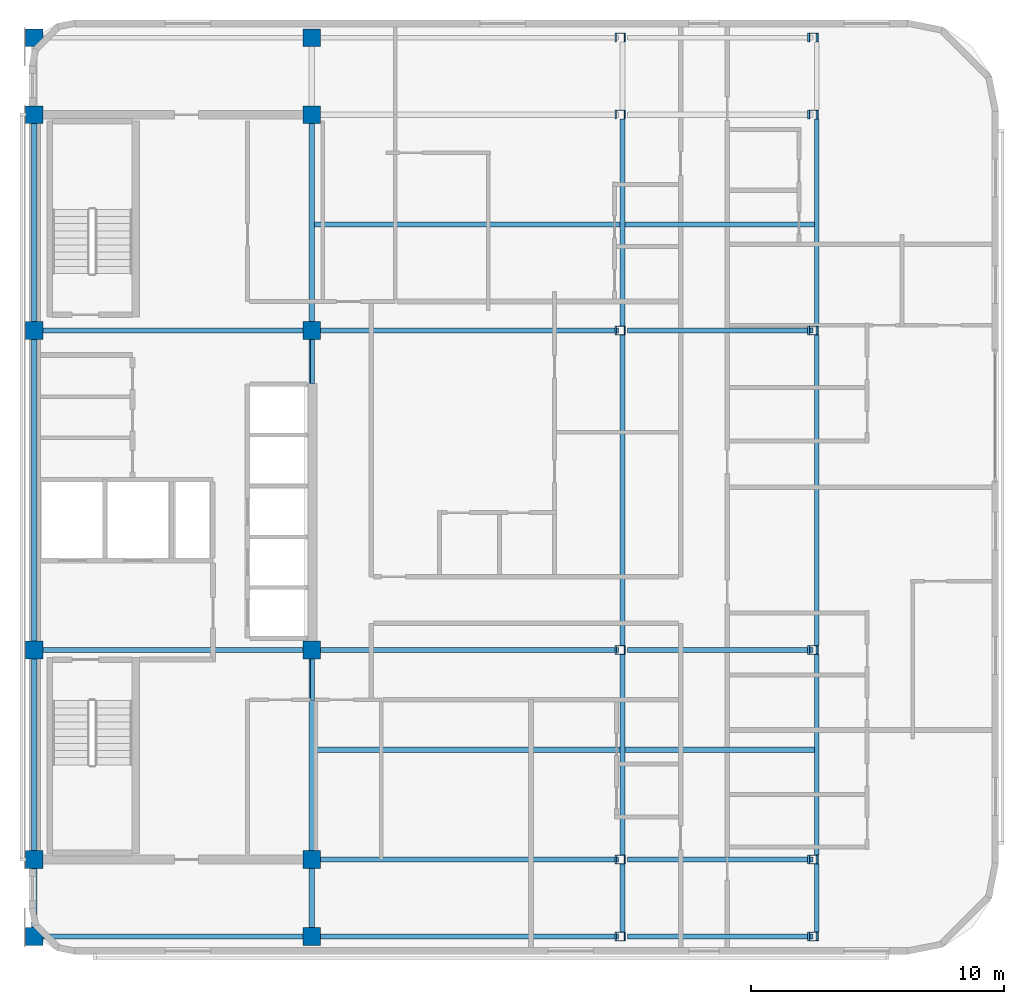
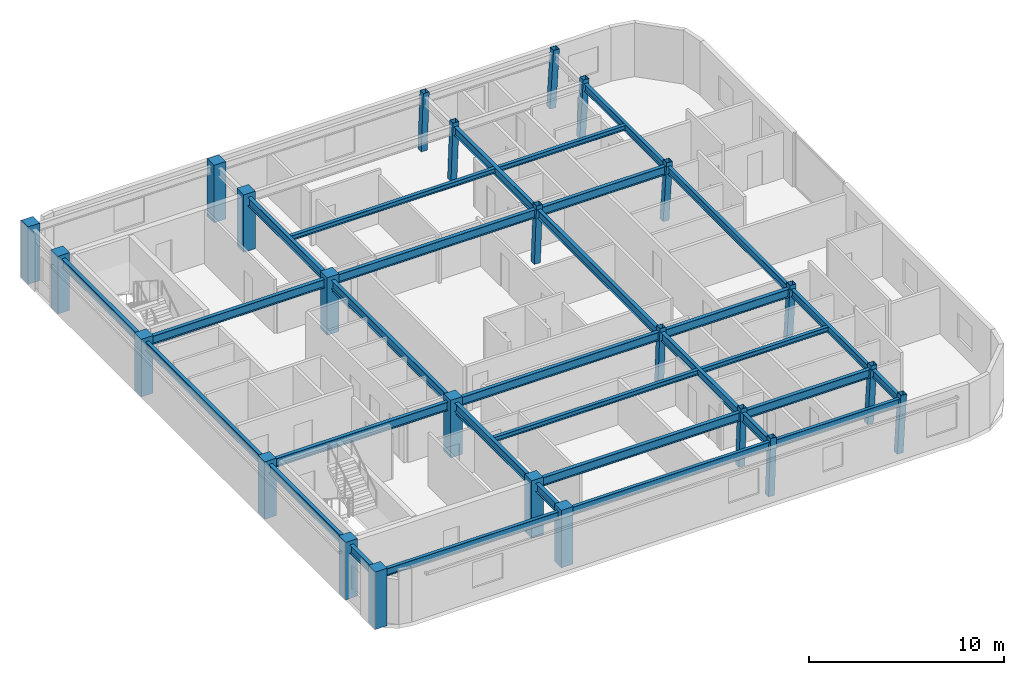
# One storey, part 1 of 10: 33 beams, 24 columns.
"""IFC4 building model written with IfcOpenShell, lengths in metres."""

from ifc_helpers import new_model, si_unit, direction, frame, origin, origin_2d, place, context, subcontext, project, spatial, rectangle, hollow_rectangle, i_section, extrude, material, material_profile, profile_set, type_object, element, save


model = new_model("IFC4")

# Units and contexts
model_context = context("Model", 3, precision=1e-05, world=origin(), true_north=direction((0.0, 1.0)))
body_context = subcontext(model_context, "Body", "Model", "MODEL_VIEW")
ifc_project = project(units=[si_unit("LENGTHUNIT", "METRE"), si_unit("AREAUNIT", "SQUARE_METRE"), si_unit("VOLUMEUNIT", "CUBIC_METRE"), si_unit("PLANEANGLEUNIT", "RADIAN"), si_unit("MASSUNIT", "GRAM", prefix="KILO")], contexts=[model_context])

# Site, building, storey
site_placement = place(None, origin())
site = spatial("IfcSite", under=ifc_project, at=site_placement, CompositionType="ELEMENT")
building_placement = place(site_placement, origin())
building = spatial("IfcBuilding", under=site, at=building_placement, Name="Ochreholt Gables", CompositionType="ELEMENT")
storey_placement = place(building_placement, frame((0.0, 0.0, 213.0)))
storey = spatial("IfcBuildingStorey", under=building, at=storey_placement, Name="L55", CompositionType="ELEMENT", Elevation=213.0)

# Columns
ifc_material_1 = material(Name="Steel CSA G40.21 350W", Category="steel")
ifc_material_profile_1 = material_profile(ifc_material_1, hollow_rectangle(XDim=0.35595703125, YDim=0.35595703125, WallThickness=0.01611328125, at=origin_2d()), Name="HSS356X356X16")
ifc_profile_set_1 = profile_set([ifc_material_profile_1], Name="Steel CSA G40.21 350W")
column_type_1 = type_object("IfcColumnType", Name="COL-HSS356-RAK", PredefinedType="COLUMN", material=ifc_profile_set_1)
for number, where, z_axis, x_axis, name in (
    (1, (47.39111328125, 9.25, 0.0), (0.034971136209, 0.0, 0.999388322742), (0.0, 1.0, 0.0), "L55 Column EMY2"),
    (2, (47.39111328125, 17.550048828125, 0.0), (0.034971136209, 0.0, 0.999388322742), (0.0, 1.0, 0.0), "L55 Column EMY3"),
    (3, (47.39111328125, 30.199951171875, 0.0), (0.034971136209, 0.0, 0.999388322742), (0.0, 1.0, 0.0), "L55 Column EMY4"),
    (4, (47.39111328125, 38.75, 0.0), (0.034971136209, 0.0, 0.999388322742), (0.0, 1.0, 0.0), "L55 Column EMY5"),
):
    element("IfcColumn", number, at=place(storey_placement, frame(where, z_axis=z_axis, x_axis=x_axis)), inside=storey, type_object=column_type_1, Name=name, PredefinedType="COLUMN", context=body_context, shape_type="SweptSolid", body=[
        extrude(hollow_rectangle(XDim=0.35595703125, YDim=0.35595703125, WallThickness=0.01611328125, at=origin_2d()), origin(), (0.0, 0.0, 1.0), 3.602294921875),
    ])
ifc_material_profile_2 = material_profile(ifc_material_1, hollow_rectangle(XDim=0.35595703125, YDim=0.35595703125, WallThickness=0.01611328125, at=origin_2d()), Name="HSS356X356X16")
ifc_profile_set_2 = profile_set([ifc_material_profile_2], Name="Steel CSA G40.21 350W")
column_type_2 = type_object("IfcColumnType", Name="COL-HSS356-RAKE", PredefinedType="COLUMN", material=ifc_profile_set_2)
for number, where, z_axis, x_axis, name in (
    (5, (47.39111328125, 6.199951171875, 0.0), (0.034971136209, 0.0, 0.999388322742), (0.0, 1.0, 0.0), "L55 Column EMY1"),
    (6, (47.39111328125, 41.800048828125, 0.0), (0.034971136209, 0.0, 0.999388322742), (0.0, 1.0, 0.0), "L55 Column EMY6"),
):
    element("IfcColumn", number, at=place(storey_placement, frame(where, z_axis=z_axis, x_axis=x_axis)), inside=storey, type_object=column_type_2, Name=name, PredefinedType="COLUMN", context=body_context, shape_type="SweptSolid", body=[
        extrude(hollow_rectangle(XDim=0.35595703125, YDim=0.35595703125, WallThickness=0.01611328125, at=origin_2d()), origin(), (0.0, 0.0, 1.0), 3.602294921875),
    ])
for number, where, z_axis, x_axis, name in (
    (7, (55.0107421875, 6.199951171875, 0.0), (0.057884606321, 0.0, 0.998323280481), (0.0, 1.0, 0.0), "L55 Column EEY1"),
    (8, (55.0107421875, 9.25, 0.0), (0.057884606321, 0.0, 0.998323280481), (0.0, 1.0, 0.0), "L55 Column EEY2"),
    (9, (55.0107421875, 17.550048828125, 0.0), (0.057884606321, 0.0, 0.998323280481), (0.0, 1.0, 0.0), "L55 Column EEY3"),
    (10, (55.0107421875, 30.199951171875, 0.0), (0.057884606321, 0.0, 0.998323280481), (0.0, 1.0, 0.0), "L55 Column EEY4"),
    (11, (55.0107421875, 38.75, 0.0), (0.057884606321, 0.0, 0.998323280481), (0.0, 1.0, 0.0), "L55 Column EEY5"),
    (12, (55.0107421875, 41.800048828125, 0.0), (0.057884606321, 0.0, 0.998323280481), (0.0, 1.0, 0.0), "L55 Column EEY6"),
):
    element("IfcColumn", number, at=place(storey_placement, frame(where, z_axis=z_axis, x_axis=x_axis)), inside=storey, type_object=column_type_2, Name=name, PredefinedType="COLUMN", context=body_context, shape_type="SweptSolid", body=[
        extrude(hollow_rectangle(XDim=0.35595703125, YDim=0.35595703125, WallThickness=0.01611328125, at=origin_2d()), origin(), (0.0, 0.0, 1.0), 3.606201171875),
    ])
ifc_material_2 = material(Name="Concrete 50 MPa", Category="concrete")
ifc_material_profile_3 = material_profile(ifc_material_2, rectangle(XDim=0.699951171875, YDim=0.699951171875, at=origin_2d()), Name="RC700X700")
ifc_profile_set_3 = profile_set([ifc_material_profile_3], Name="Concrete 50 MPa")
column_type_3 = type_object("IfcColumnType", Name="COL-RC700-EXT", PredefinedType="COLUMN", material=ifc_profile_set_3)
for number, where, z_axis, x_axis, name in (
    (13, (24.199951171875, 6.199951171875, 0.0), (0.0, 0.0, 1.0), (1.0, 0.0, 0.0), "L55 Column C1Y1"),
    (14, (24.199951171875, 9.25, 0.0), (0.0, 0.0, 1.0), (1.0, 0.0, 0.0), "L55 Column C1Y2"),
    (15, (24.199951171875, 17.550048828125, 0.0), (0.0, 0.0, 1.0), (1.0, 0.0, 0.0), "L55 Column C1Y3"),
    (16, (24.199951171875, 30.199951171875, 0.0), (0.0, 0.0, 1.0), (1.0, 0.0, 0.0), "L55 Column C1Y4"),
    (17, (24.199951171875, 38.75, 0.0), (0.0, 0.0, 1.0), (1.0, 0.0, 0.0), "L55 Column C1Y5"),
    (18, (24.199951171875, 41.800048828125, 0.0), (0.0, 0.0, 1.0), (1.0, 0.0, 0.0), "L55 Column C1Y6"),
    (19, (35.199951171875, 6.199951171875, 0.0), (0.0, 0.0, 1.0), (1.0, 0.0, 0.0), "L55 Column C2Y1"),
    (20, (35.199951171875, 41.800048828125, 0.0), (0.0, 0.0, 1.0), (1.0, 0.0, 0.0), "L55 Column C2Y6"),
):
    element("IfcColumn", number, at=place(storey_placement, frame(where, z_axis=z_axis, x_axis=x_axis)), inside=storey, type_object=column_type_3, Name=name, PredefinedType="COLUMN", context=body_context, shape_type="SweptSolid", body=[
        extrude(rectangle(XDim=0.699951171875, YDim=0.699951171875, at=origin_2d()), origin(), (0.0, 0.0, 1.0), 3.60009765625),
    ])
ifc_material_profile_4 = material_profile(ifc_material_2, rectangle(XDim=0.699951171875, YDim=0.699951171875, at=origin_2d()), Name="RC700X700")
ifc_profile_set_4 = profile_set([ifc_material_profile_4], Name="Concrete 50 MPa")
column_type_4 = type_object("IfcColumnType", Name="COL-RC700-INT", PredefinedType="COLUMN", material=ifc_profile_set_4)
for number, where, z_axis, x_axis, name in (
    (21, (35.199951171875, 9.25, 0.0), (0.0, 0.0, 1.0), (1.0, 0.0, 0.0), "L55 Column C2Y2"),
    (22, (35.199951171875, 17.550048828125, 0.0), (0.0, 0.0, 1.0), (1.0, 0.0, 0.0), "L55 Column C2Y3"),
    (23, (35.199951171875, 30.199951171875, 0.0), (0.0, 0.0, 1.0), (1.0, 0.0, 0.0), "L55 Column C2Y4"),
    (24, (35.199951171875, 38.75, 0.0), (0.0, 0.0, 1.0), (1.0, 0.0, 0.0), "L55 Column C2Y5"),
):
    element("IfcColumn", number, at=place(storey_placement, frame(where, z_axis=z_axis, x_axis=x_axis)), inside=storey, type_object=column_type_4, Name=name, PredefinedType="COLUMN", context=body_context, shape_type="SweptSolid", body=[
        extrude(rectangle(XDim=0.699951171875, YDim=0.699951171875, at=origin_2d()), origin(), (0.0, 0.0, 1.0), 3.60009765625),
    ])

# Beams
ifc_material_profile_5 = material_profile(ifc_material_1, i_section(OverallWidth=0.2109375, OverallDepth=0.5390625, WebThickness=0.01171875, FlangeThickness=0.018798828125, at=origin_2d()), Name="W530X109")
ifc_profile_set_5 = profile_set([ifc_material_profile_5], Name="Steel CSA G40.21 350W")
beam_type_1 = type_object("IfcBeamType", Name="BM-G-W530A", PredefinedType="BEAM", material=ifc_profile_set_5)
beam_1_placement = place(storey_placement, frame((35.549560546875, 9.25, 3.090576171875), z_axis=(1.0, 0.0, 0.0), x_axis=(0.0, 1.0, 0.0)))
element("IfcBeam", 25, at=beam_1_placement, inside=storey, type_object=beam_type_1, Name="L55 Beam TBG-L55-C2EM-Y2", PredefinedType="BEAM", context=body_context, shape_type="SweptSolid", body=[
    extrude(i_section(OverallWidth=0.2109375, OverallDepth=0.5390625, WebThickness=0.01171875, FlangeThickness=0.018798828125, at=origin_2d()), origin(), (0.0, 0.0, 1.0), 11.789794921875),
])
beam_2_placement = place(storey_placement, frame((47.694580078125, 9.25, 3.090576171875), z_axis=(1.0, 0.0, 0.0), x_axis=(0.0, 1.0, 0.0)))
element("IfcBeam", 26, at=beam_2_placement, inside=storey, type_object=beam_type_1, Name="L55 Beam TBG-L55-EMEE-Y2", PredefinedType="BEAM", context=body_context, shape_type="SweptSolid", body=[
    extrude(i_section(OverallWidth=0.2109375, OverallDepth=0.5390625, WebThickness=0.01171875, FlangeThickness=0.018798828125, at=origin_2d()), origin(), (0.0, 0.0, 1.0), 7.347412109375),
])
beam_3_placement = place(storey_placement, frame((24.549560546875, 17.550048828125, 3.090576171875), z_axis=(1.0, 0.0, 0.0), x_axis=(0.0, 1.0, 0.0)))
element("IfcBeam", 27, at=beam_3_placement, inside=storey, type_object=beam_type_1, Name="L55 Beam TBG-L55-C1C2-Y3", PredefinedType="BEAM", context=body_context, shape_type="SweptSolid", body=[
    extrude(i_section(OverallWidth=0.2109375, OverallDepth=0.5390625, WebThickness=0.01171875, FlangeThickness=0.018798828125, at=origin_2d()), origin(), (0.0, 0.0, 1.0), 10.30078125),
])
beam_4_placement = place(storey_placement, frame((35.549560546875, 17.550048828125, 3.090576171875), z_axis=(1.0, 0.0, 0.0), x_axis=(0.0, 1.0, 0.0)))
element("IfcBeam", 28, at=beam_4_placement, inside=storey, type_object=beam_type_1, Name="L55 Beam TBG-L55-C2EM-Y3", PredefinedType="BEAM", context=body_context, shape_type="SweptSolid", body=[
    extrude(i_section(OverallWidth=0.2109375, OverallDepth=0.5390625, WebThickness=0.01171875, FlangeThickness=0.018798828125, at=origin_2d()), origin(), (0.0, 0.0, 1.0), 11.789794921875),
])
beam_5_placement = place(storey_placement, frame((47.694580078125, 17.550048828125, 3.090576171875), z_axis=(1.0, 0.0, 0.0), x_axis=(0.0, 1.0, 0.0)))
element("IfcBeam", 29, at=beam_5_placement, inside=storey, type_object=beam_type_1, Name="L55 Beam TBG-L55-EMEE-Y3", PredefinedType="BEAM", context=body_context, shape_type="SweptSolid", body=[
    extrude(i_section(OverallWidth=0.2109375, OverallDepth=0.5390625, WebThickness=0.01171875, FlangeThickness=0.018798828125, at=origin_2d()), origin(), (0.0, 0.0, 1.0), 7.347412109375),
])
beam_6_placement = place(storey_placement, frame((24.549560546875, 30.199951171875, 3.090576171875), z_axis=(1.0, 0.0, 0.0), x_axis=(0.0, 1.0, 0.0)))
element("IfcBeam", 30, at=beam_6_placement, inside=storey, type_object=beam_type_1, Name="L55 Beam TBG-L55-C1C2-Y4", PredefinedType="BEAM", context=body_context, shape_type="SweptSolid", body=[
    extrude(i_section(OverallWidth=0.2109375, OverallDepth=0.5390625, WebThickness=0.01171875, FlangeThickness=0.018798828125, at=origin_2d()), origin(), (0.0, 0.0, 1.0), 10.30078125),
])
beam_7_placement = place(storey_placement, frame((35.549560546875, 30.199951171875, 3.090576171875), z_axis=(1.0, 0.0, 0.0), x_axis=(0.0, 1.0, 0.0)))
element("IfcBeam", 31, at=beam_7_placement, inside=storey, type_object=beam_type_1, Name="L55 Beam TBG-L55-C2EM-Y4", PredefinedType="BEAM", context=body_context, shape_type="SweptSolid", body=[
    extrude(i_section(OverallWidth=0.2109375, OverallDepth=0.5390625, WebThickness=0.01171875, FlangeThickness=0.018798828125, at=origin_2d()), origin(), (0.0, 0.0, 1.0), 11.789794921875),
])
beam_8_placement = place(storey_placement, frame((47.694580078125, 30.199951171875, 3.090576171875), z_axis=(1.0, 0.0, 0.0), x_axis=(0.0, 1.0, 0.0)))
element("IfcBeam", 32, at=beam_8_placement, inside=storey, type_object=beam_type_1, Name="L55 Beam TBG-L55-EMEE-Y4", PredefinedType="BEAM", context=body_context, shape_type="SweptSolid", body=[
    extrude(i_section(OverallWidth=0.2109375, OverallDepth=0.5390625, WebThickness=0.01171875, FlangeThickness=0.018798828125, at=origin_2d()), origin(), (0.0, 0.0, 1.0), 7.347412109375),
])
beam_9_placement = place(storey_placement, frame((24.199951171875, 6.549560546875, 3.090576171875), z_axis=(0.0, 1.0, 0.0), x_axis=(-1.0, 0.0, 0.0)))
element("IfcBeam", 33, at=beam_9_placement, inside=storey, type_object=beam_type_1, Name="L55 Beam TBN-L55-C1-Y1Y2", PredefinedType="BEAM", context=body_context, shape_type="SweptSolid", body=[
    extrude(i_section(OverallWidth=0.2109375, OverallDepth=0.5390625, WebThickness=0.01171875, FlangeThickness=0.018798828125, at=origin_2d()), origin(), (0.0, 0.0, 1.0), 2.350830078125),
])
beam_10_placement = place(storey_placement, frame((24.199951171875, 9.599609375, 3.090576171875), z_axis=(0.0, 1.0, 0.0), x_axis=(-1.0, 0.0, 0.0)))
element("IfcBeam", 34, at=beam_10_placement, inside=storey, type_object=beam_type_1, Name="L55 Beam TBN-L55-C1-Y2Y3", PredefinedType="BEAM", context=body_context, shape_type="SweptSolid", body=[
    extrude(i_section(OverallWidth=0.2109375, OverallDepth=0.5390625, WebThickness=0.01171875, FlangeThickness=0.018798828125, at=origin_2d()), origin(), (0.0, 0.0, 1.0), 7.600830078125),
])
beam_11_placement = place(storey_placement, frame((24.199951171875, 17.899658203125, 3.090576171875), z_axis=(0.0, 1.0, 0.0), x_axis=(-1.0, 0.0, 0.0)))
element("IfcBeam", 35, at=beam_11_placement, inside=storey, type_object=beam_type_1, Name="L55 Beam TBN-L55-C1-Y3Y4", PredefinedType="BEAM", context=body_context, shape_type="SweptSolid", body=[
    extrude(i_section(OverallWidth=0.2109375, OverallDepth=0.5390625, WebThickness=0.01171875, FlangeThickness=0.018798828125, at=origin_2d()), origin(), (0.0, 0.0, 1.0), 11.95068359375),
])
beam_12_placement = place(storey_placement, frame((24.199951171875, 30.549560546875, 3.090576171875), z_axis=(0.0, 1.0, 0.0), x_axis=(-1.0, 0.0, 0.0)))
element("IfcBeam", 36, at=beam_12_placement, inside=storey, type_object=beam_type_1, Name="L55 Beam TBN-L55-C1-Y4Y5", PredefinedType="BEAM", context=body_context, shape_type="SweptSolid", body=[
    extrude(i_section(OverallWidth=0.2109375, OverallDepth=0.5390625, WebThickness=0.01171875, FlangeThickness=0.018798828125, at=origin_2d()), origin(), (0.0, 0.0, 1.0), 7.850830078125),
])
beam_13_placement = place(storey_placement, frame((35.199951171875, 6.549560546875, 3.090576171875), z_axis=(0.0, 1.0, 0.0), x_axis=(-1.0, 0.0, 0.0)))
element("IfcBeam", 37, at=beam_13_placement, inside=storey, type_object=beam_type_1, Name="L55 Beam TBN-L55-C2-Y1Y2", PredefinedType="BEAM", context=body_context, shape_type="SweptSolid", body=[
    extrude(i_section(OverallWidth=0.2109375, OverallDepth=0.5390625, WebThickness=0.01171875, FlangeThickness=0.018798828125, at=origin_2d()), origin(), (0.0, 0.0, 1.0), 2.350830078125),
])
beam_14_placement = place(storey_placement, frame((35.199951171875, 9.599609375, 3.090576171875), z_axis=(0.0, 1.0, 0.0), x_axis=(-1.0, 0.0, 0.0)))
element("IfcBeam", 38, at=beam_14_placement, inside=storey, type_object=beam_type_1, Name="L55 Beam TBN-L55-C2-Y2Y3", PredefinedType="BEAM", context=body_context, shape_type="SweptSolid", body=[
    extrude(i_section(OverallWidth=0.2109375, OverallDepth=0.5390625, WebThickness=0.01171875, FlangeThickness=0.018798828125, at=origin_2d()), origin(), (0.0, 0.0, 1.0), 7.600830078125),
])
beam_15_placement = place(storey_placement, frame((35.199951171875, 17.899658203125, 3.090576171875), z_axis=(0.0, 1.0, 0.0), x_axis=(-1.0, 0.0, 0.0)))
element("IfcBeam", 39, at=beam_15_placement, inside=storey, type_object=beam_type_1, Name="L55 Beam TBN-L55-C2-Y3Y4", PredefinedType="BEAM", context=body_context, shape_type="SweptSolid", body=[
    extrude(i_section(OverallWidth=0.2109375, OverallDepth=0.5390625, WebThickness=0.01171875, FlangeThickness=0.018798828125, at=origin_2d()), origin(), (0.0, 0.0, 1.0), 11.95068359375),
])
beam_16_placement = place(storey_placement, frame((35.199951171875, 30.549560546875, 3.090576171875), z_axis=(0.0, 1.0, 0.0), x_axis=(-1.0, 0.0, 0.0)))
element("IfcBeam", 40, at=beam_16_placement, inside=storey, type_object=beam_type_1, Name="L55 Beam TBN-L55-C2-Y4Y5", PredefinedType="BEAM", context=body_context, shape_type="SweptSolid", body=[
    extrude(i_section(OverallWidth=0.2109375, OverallDepth=0.5390625, WebThickness=0.01171875, FlangeThickness=0.018798828125, at=origin_2d()), origin(), (0.0, 0.0, 1.0), 7.850830078125),
])
beam_17_placement = place(storey_placement, frame((47.5, 6.377685546875, 3.090576171875), z_axis=(0.0, 1.0, 0.0), x_axis=(-1.0, 0.0, 0.0)))
element("IfcBeam", 41, at=beam_17_placement, inside=storey, type_object=beam_type_1, Name="L55 Beam TBN-L55-EM-Y1Y2", PredefinedType="BEAM", context=body_context, shape_type="SweptSolid", body=[
    extrude(i_section(OverallWidth=0.2109375, OverallDepth=0.5390625, WebThickness=0.01171875, FlangeThickness=0.018798828125, at=origin_2d()), origin(), (0.0, 0.0, 1.0), 2.69482421875),
])
beam_18_placement = place(storey_placement, frame((47.5, 9.427490234375, 3.090576171875), z_axis=(0.0, 1.0, 0.0), x_axis=(-1.0, 0.0, 0.0)))
element("IfcBeam", 42, at=beam_18_placement, inside=storey, type_object=beam_type_1, Name="L55 Beam TBN-L55-EM-Y2Y3", PredefinedType="BEAM", context=body_context, shape_type="SweptSolid", body=[
    extrude(i_section(OverallWidth=0.2109375, OverallDepth=0.5390625, WebThickness=0.01171875, FlangeThickness=0.018798828125, at=origin_2d()), origin(), (0.0, 0.0, 1.0), 7.94482421875),
])
beam_19_placement = place(storey_placement, frame((47.5, 17.7275390625, 3.090576171875), z_axis=(0.0, 1.0, 0.0), x_axis=(-1.0, 0.0, 0.0)))
element("IfcBeam", 43, at=beam_19_placement, inside=storey, type_object=beam_type_1, Name="L55 Beam TBN-L55-EM-Y3Y4", PredefinedType="BEAM", context=body_context, shape_type="SweptSolid", body=[
    extrude(i_section(OverallWidth=0.2109375, OverallDepth=0.5390625, WebThickness=0.01171875, FlangeThickness=0.018798828125, at=origin_2d()), origin(), (0.0, 0.0, 1.0), 12.294921875),
])
beam_20_placement = place(storey_placement, frame((47.5, 30.377685546875, 3.090576171875), z_axis=(0.0, 1.0, 0.0), x_axis=(-1.0, 0.0, 0.0)))
element("IfcBeam", 44, at=beam_20_placement, inside=storey, type_object=beam_type_1, Name="L55 Beam TBN-L55-EM-Y4Y5", PredefinedType="BEAM", context=body_context, shape_type="SweptSolid", body=[
    extrude(i_section(OverallWidth=0.2109375, OverallDepth=0.5390625, WebThickness=0.01171875, FlangeThickness=0.018798828125, at=origin_2d()), origin(), (0.0, 0.0, 1.0), 8.19482421875),
])
ifc_material_profile_6 = material_profile(ifc_material_1, i_section(OverallWidth=0.202880859375, OverallDepth=0.302978515625, WebThickness=0.007568359375, FlangeThickness=0.01318359375, at=origin_2d()), Name="W310X60")
ifc_profile_set_6 = profile_set([ifc_material_profile_6], Name="Steel CSA G40.21 350W")
beam_type_2 = type_object("IfcBeamType", Name="BM-J-W310", PredefinedType="JOIST", material=ifc_profile_set_6)
beam_21_placement = place(storey_placement, frame((35.30517578125, 13.60009765625, 3.20849609375), z_axis=(1.0, 0.0, 0.0), x_axis=(0.0, 1.0, 0.0)))
element("IfcBeam", 45, at=beam_21_placement, inside=storey, type_object=beam_type_2, Name="L55 Beam TBJ-L55-J1-C2EM", PredefinedType="JOIST", context=body_context, shape_type="SweptSolid", body=[
    extrude(i_section(OverallWidth=0.202880859375, OverallDepth=0.302978515625, WebThickness=0.007568359375, FlangeThickness=0.01318359375, at=origin_2d()), origin(), (0.0, 0.0, 1.0), 12.089599609375),
])
beam_22_placement = place(storey_placement, frame((47.60498046875, 13.60009765625, 3.20849609375), z_axis=(1.0, 0.0, 0.0), x_axis=(0.0, 1.0, 0.0)))
element("IfcBeam", 46, at=beam_22_placement, inside=storey, type_object=beam_type_2, Name="L55 Beam TBJ-L55-J1-EMEE", PredefinedType="JOIST", context=body_context, shape_type="SweptSolid", body=[
    extrude(i_section(OverallWidth=0.202880859375, OverallDepth=0.302978515625, WebThickness=0.007568359375, FlangeThickness=0.01318359375, at=origin_2d()), origin(), (0.0, 0.0, 1.0), 7.49072265625),
])
beam_23_placement = place(storey_placement, frame((35.30517578125, 34.39990234375, 3.20849609375), z_axis=(1.0, 0.0, 0.0), x_axis=(0.0, 1.0, 0.0)))
element("IfcBeam", 47, at=beam_23_placement, inside=storey, type_object=beam_type_2, Name="L55 Beam TBJ-L55-J2-C2EM", PredefinedType="JOIST", context=body_context, shape_type="SweptSolid", body=[
    extrude(i_section(OverallWidth=0.202880859375, OverallDepth=0.302978515625, WebThickness=0.007568359375, FlangeThickness=0.01318359375, at=origin_2d()), origin(), (0.0, 0.0, 1.0), 12.089599609375),
])
beam_24_placement = place(storey_placement, frame((47.60498046875, 34.39990234375, 3.20849609375), z_axis=(1.0, 0.0, 0.0), x_axis=(0.0, 1.0, 0.0)))
element("IfcBeam", 48, at=beam_24_placement, inside=storey, type_object=beam_type_2, Name="L55 Beam TBJ-L55-J2-EMEE", PredefinedType="JOIST", context=body_context, shape_type="SweptSolid", body=[
    extrude(i_section(OverallWidth=0.202880859375, OverallDepth=0.302978515625, WebThickness=0.007568359375, FlangeThickness=0.01318359375, at=origin_2d()), origin(), (0.0, 0.0, 1.0), 7.49072265625),
])
ifc_material_profile_7 = material_profile(ifc_material_1, i_section(OverallWidth=0.1650390625, OverallDepth=0.200927734375, WebThickness=0.006103515625, FlangeThickness=0.01025390625, at=origin_2d()), Name="W200X36")
ifc_profile_set_7 = profile_set([ifc_material_profile_7], Name="Steel CSA G40.21 350W")
beam_type_3 = type_object("IfcBeamType", Name="BM-LIN-W200", PredefinedType="LINTEL", material=ifc_profile_set_7)
beam_25_placement = place(storey_placement, frame((35.22509765625, 15.550048828125, 2.720458984375), z_axis=(0.0, 1.0, 0.0), x_axis=(-1.0, 0.0, 0.0)))
element("IfcBeam", 49, at=beam_25_placement, inside=storey, type_object=beam_type_3, Name="L55 Core Coupling Lintel CPS", PredefinedType="LINTEL", context=body_context, shape_type="SweptSolid", body=[
    extrude(i_section(OverallWidth=0.1650390625, OverallDepth=0.200927734375, WebThickness=0.006103515625, FlangeThickness=0.01025390625, at=origin_2d()), origin(), (0.0, 0.0, 1.0), 1.64990234375),
])
beam_26_placement = place(storey_placement, frame((35.22509765625, 28.10009765625, 2.720458984375), z_axis=(0.0, 1.0, 0.0), x_axis=(-1.0, 0.0, 0.0)))
element("IfcBeam", 50, at=beam_26_placement, inside=storey, type_object=beam_type_3, Name="L55 Core Coupling Lintel CPN", PredefinedType="LINTEL", context=body_context, shape_type="SweptSolid", body=[
    extrude(i_section(OverallWidth=0.1650390625, OverallDepth=0.200927734375, WebThickness=0.006103515625, FlangeThickness=0.01025390625, at=origin_2d()), origin(), (0.0, 0.0, 1.0), 1.75),
])
ifc_material_profile_8 = material_profile(ifc_material_1, i_section(OverallWidth=0.19189453125, OverallDepth=0.462890625, WebThickness=0.010498046875, FlangeThickness=0.017578125, at=origin_2d()), Name="W460X89")
ifc_profile_set_8 = profile_set([ifc_material_profile_8], Name="Steel CSA G40.21 350W")
beam_type_4 = type_object("IfcBeamType", Name="BM-SP-W460A", PredefinedType="SPANDREL", material=ifc_profile_set_8)
beam_27_placement = place(storey_placement, frame((24.549560546875, 6.199951171875, 3.12841796875), z_axis=(1.0, 0.0, 0.0), x_axis=(0.0, 1.0, 0.0)))
element("IfcBeam", 51, at=beam_27_placement, inside=storey, type_object=beam_type_4, Name="L55 Beam TBG-L55-C1C2-Y1", PredefinedType="SPANDREL", context=body_context, shape_type="SweptSolid", body=[
    extrude(i_section(OverallWidth=0.19189453125, OverallDepth=0.462890625, WebThickness=0.010498046875, FlangeThickness=0.017578125, at=origin_2d()), origin(), (0.0, 0.0, 1.0), 10.30078125),
])
beam_28_placement = place(storey_placement, frame((35.549560546875, 6.199951171875, 3.12841796875), z_axis=(1.0, 0.0, 0.0), x_axis=(0.0, 1.0, 0.0)))
element("IfcBeam", 52, at=beam_28_placement, inside=storey, type_object=beam_type_4, Name="L55 Beam TBG-L55-C2EM-Y1", PredefinedType="SPANDREL", context=body_context, shape_type="SweptSolid", body=[
    extrude(i_section(OverallWidth=0.19189453125, OverallDepth=0.462890625, WebThickness=0.010498046875, FlangeThickness=0.017578125, at=origin_2d()), origin(), (0.0, 0.0, 1.0), 11.789794921875),
])
beam_29_placement = place(storey_placement, frame((47.694580078125, 6.199951171875, 3.12841796875), z_axis=(1.0, 0.0, 0.0), x_axis=(0.0, 1.0, 0.0)))
element("IfcBeam", 53, at=beam_29_placement, inside=storey, type_object=beam_type_4, Name="L55 Beam TBG-L55-EMEE-Y1", PredefinedType="SPANDREL", context=body_context, shape_type="SweptSolid", body=[
    extrude(i_section(OverallWidth=0.19189453125, OverallDepth=0.462890625, WebThickness=0.010498046875, FlangeThickness=0.017578125, at=origin_2d()), origin(), (0.0, 0.0, 1.0), 7.347412109375),
])
beam_30_placement = place(storey_placement, frame((55.191162109375, 6.377685546875, 3.12841796875), z_axis=(0.0, 1.0, 0.0), x_axis=(-1.0, 0.0, 0.0)))
element("IfcBeam", 54, at=beam_30_placement, inside=storey, type_object=beam_type_4, Name="L55 Beam TBN-L55-EE-Y1Y2", PredefinedType="SPANDREL", context=body_context, shape_type="SweptSolid", body=[
    extrude(i_section(OverallWidth=0.19189453125, OverallDepth=0.462890625, WebThickness=0.010498046875, FlangeThickness=0.017578125, at=origin_2d()), origin(), (0.0, 0.0, 1.0), 2.69482421875),
])
beam_31_placement = place(storey_placement, frame((55.191162109375, 9.427490234375, 3.12841796875), z_axis=(0.0, 1.0, 0.0), x_axis=(-1.0, 0.0, 0.0)))
element("IfcBeam", 55, at=beam_31_placement, inside=storey, type_object=beam_type_4, Name="L55 Beam TBN-L55-EE-Y2Y3", PredefinedType="SPANDREL", context=body_context, shape_type="SweptSolid", body=[
    extrude(i_section(OverallWidth=0.19189453125, OverallDepth=0.462890625, WebThickness=0.010498046875, FlangeThickness=0.017578125, at=origin_2d()), origin(), (0.0, 0.0, 1.0), 7.94482421875),
])
beam_32_placement = place(storey_placement, frame((55.191162109375, 17.7275390625, 3.12841796875), z_axis=(0.0, 1.0, 0.0), x_axis=(-1.0, 0.0, 0.0)))
element("IfcBeam", 56, at=beam_32_placement, inside=storey, type_object=beam_type_4, Name="L55 Beam TBN-L55-EE-Y3Y4", PredefinedType="SPANDREL", context=body_context, shape_type="SweptSolid", body=[
    extrude(i_section(OverallWidth=0.19189453125, OverallDepth=0.462890625, WebThickness=0.010498046875, FlangeThickness=0.017578125, at=origin_2d()), origin(), (0.0, 0.0, 1.0), 12.294921875),
])
beam_33_placement = place(storey_placement, frame((55.191162109375, 30.377685546875, 3.12841796875), z_axis=(0.0, 1.0, 0.0), x_axis=(-1.0, 0.0, 0.0)))
element("IfcBeam", 57, at=beam_33_placement, inside=storey, type_object=beam_type_4, Name="L55 Beam TBN-L55-EE-Y4Y5", PredefinedType="SPANDREL", context=body_context, shape_type="SweptSolid", body=[
    extrude(i_section(OverallWidth=0.19189453125, OverallDepth=0.462890625, WebThickness=0.010498046875, FlangeThickness=0.017578125, at=origin_2d()), origin(), (0.0, 0.0, 1.0), 8.19482421875),
])

save(model, "model.ifc")
